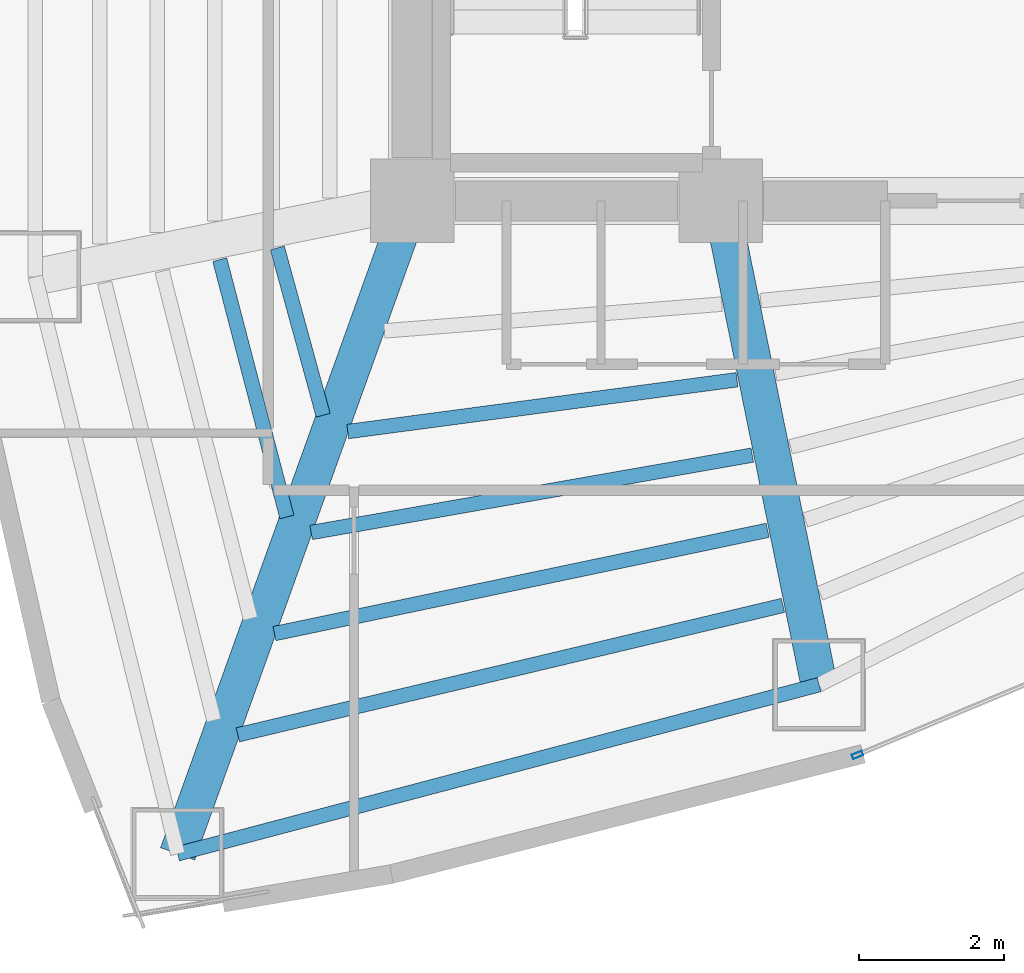
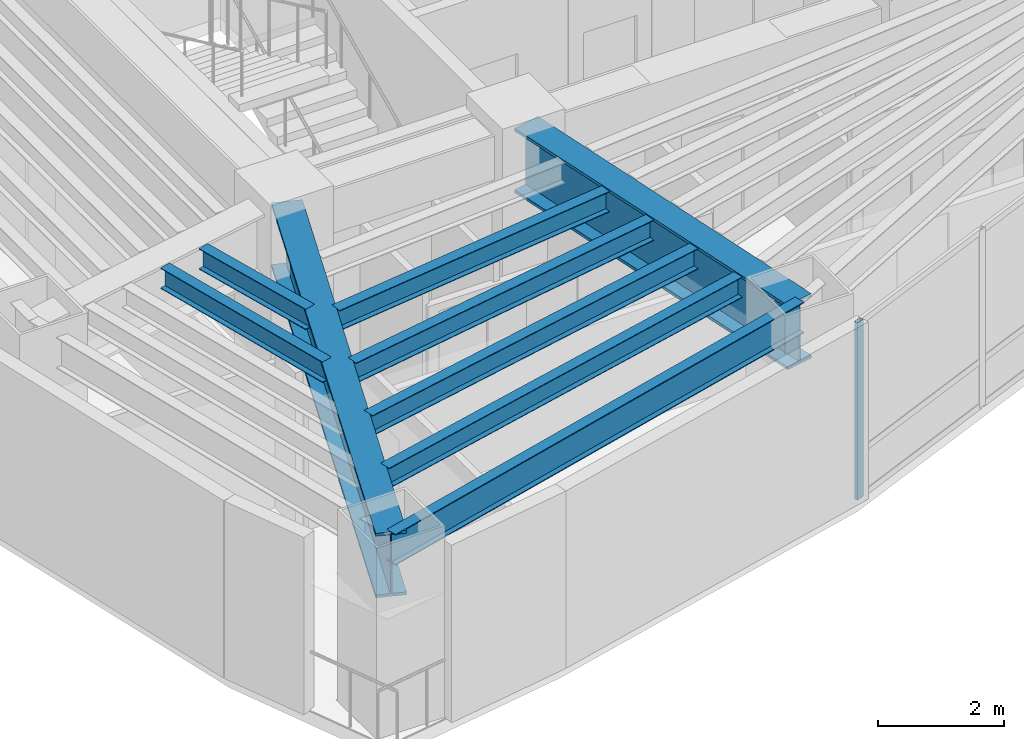
# One storey, part 3 of 17: 9 beams, 1 member, 1 element without a shape of its own.
"""IFC4 building model written with IfcOpenShell, lengths in metres."""

from ifc_helpers import new_model, si_unit, direction, frame, origin, origin_2d, place, context, subcontext, project, spatial, hollow_rectangle, i_section, extrude, material, layer, layer_set, material_profile, profile_set, type_object, element, aggregate, save


model = new_model("IFC4")

# Units and contexts
model_context = context("Model", 3, precision=1e-05, world=origin(), true_north=direction((0.0, 1.0)))
body_context = subcontext(model_context, "Body", "Model", "MODEL_VIEW")
ifc_project = project(units=[si_unit("LENGTHUNIT", "METRE"), si_unit("AREAUNIT", "SQUARE_METRE"), si_unit("VOLUMEUNIT", "CUBIC_METRE"), si_unit("PLANEANGLEUNIT", "RADIAN"), si_unit("MASSUNIT", "GRAM", prefix="KILO")], contexts=[model_context])

# Site, building, storey
site_placement = place(None, origin())
site = spatial("IfcSite", under=ifc_project, at=site_placement, CompositionType="ELEMENT")
building_placement = place(site_placement, origin())
building = spatial("IfcBuilding", under=site, at=building_placement, Name="Menara Vayukalpa", CompositionType="ELEMENT")
storey_placement = place(building_placement, frame((0.0, 0.0, 100.260009765625)))
storey = spatial("IfcBuildingStorey", under=building, at=storey_placement, Name="L24", CompositionType="ELEMENT", Elevation=100.260009765625)

# Beams
ifc_material_1 = material(Name="Steel S355", Category="steel")
ifc_material_profile_1 = material_profile(ifc_material_1, i_section(OverallWidth=0.199951171875, OverallDepth=0.39990234375, WebThickness=0.008056640625, FlangeThickness=0.012939453125, at=origin_2d()), Name="WF 400x200x8x13")
ifc_profile_set_1 = profile_set([ifc_material_profile_1], Name="Steel S355")
beam_type_1 = type_object("IfcBeamType", Name="BM-SJ2", PredefinedType="JOIST", material=ifc_profile_set_1)
beam_1_placement = place(storey_placement, frame((15.943603515625, 16.551513671875, 3.239990234375), z_axis=(0.263938385798, -0.964539542218, 0.0), x_axis=(0.964539542218, 0.263938385798, 0.0)))
element("IfcBeam", 1, at=beam_1_placement, inside=storey, type_object=beam_type_1, Name="L24 Secondary Floor Joist SJ06-2", PredefinedType="JOIST", context=body_context, shape_type="SweptSolid", body=[
    extrude(i_section(OverallWidth=0.199951171875, OverallDepth=0.39990234375, WebThickness=0.008056640625, FlangeThickness=0.012939453125, at=origin_2d()), origin(), (0.0, 0.0, 1.0), 2.39013671875),
])
beam_2_placement = place(storey_placement, frame((15.14892578125, 16.39111328125, 3.239990234375), z_axis=(0.252476133107, -0.967603122262, 0.0), x_axis=(0.967603122262, 0.252476133107, 0.0)))
element("IfcBeam", 2, at=beam_2_placement, inside=storey, type_object=beam_type_1, Name="L24 Secondary Floor Joist SJ06-3", PredefinedType="JOIST", context=body_context, shape_type="SweptSolid", body=[
    extrude(i_section(OverallWidth=0.199951171875, OverallDepth=0.39990234375, WebThickness=0.008056640625, FlangeThickness=0.012939453125, at=origin_2d()), origin(), (0.0, 0.0, 1.0), 3.664794921875),
])
beam_3_placement = place(storey_placement, frame((16.913330078125, 14.021240234375, 3.239990234375), z_axis=(0.991247591954, 0.132015951482, 0.0), x_axis=(-0.132015951482, 0.991247591954, 0.0)))
element("IfcBeam", 3, at=beam_3_placement, inside=storey, type_object=beam_type_1, Name="L24 Secondary Floor Joist SJ07-2", PredefinedType="JOIST", context=body_context, shape_type="SweptSolid", body=[
    extrude(i_section(OverallWidth=0.199951171875, OverallDepth=0.39990234375, WebThickness=0.008056640625, FlangeThickness=0.012939453125, at=origin_2d()), origin(), (0.0, 0.0, 1.0), 5.4111328125),
])
beam_4_placement = place(storey_placement, frame((16.408203125, 12.63037109375, 3.239990234375), z_axis=(0.984956670344, 0.17280149752, 0.0), x_axis=(-0.17280149752, 0.984956670344, 0.0)))
element("IfcBeam", 4, at=beam_4_placement, inside=storey, type_object=beam_type_1, Name="L24 Secondary Floor Joist SJ07-3", PredefinedType="JOIST", context=body_context, shape_type="SweptSolid", body=[
    extrude(i_section(OverallWidth=0.199951171875, OverallDepth=0.39990234375, WebThickness=0.008056640625, FlangeThickness=0.012939453125, at=origin_2d()), origin(), (0.0, 0.0, 1.0), 6.172607421875),
])
beam_5_placement = place(storey_placement, frame((15.903076171875, 11.237060546875, 3.239990234375), z_axis=(0.97875076474, 0.205053506483, 0.0), x_axis=(-0.205053506483, 0.97875076474, 0.0)))
element("IfcBeam", 5, at=beam_5_placement, inside=storey, type_object=beam_type_1, Name="L24 Secondary Floor Joist SJ07-4", PredefinedType="JOIST", context=body_context, shape_type="SweptSolid", body=[
    extrude(i_section(OverallWidth=0.199951171875, OverallDepth=0.39990234375, WebThickness=0.008056640625, FlangeThickness=0.012939453125, at=origin_2d()), origin(), (0.0, 0.0, 1.0), 6.943603515625),
])
beam_6_placement = place(storey_placement, frame((15.398193359375, 9.84228515625, 3.239990234375), z_axis=(0.972939394316, 0.231060457432, 0.0), x_axis=(-0.231060457432, 0.972939394316, 0.0)))
element("IfcBeam", 6, at=beam_6_placement, inside=storey, type_object=beam_type_1, Name="L24 Secondary Floor Joist SJ07-5", PredefinedType="JOIST", context=body_context, shape_type="SweptSolid", body=[
    extrude(i_section(OverallWidth=0.199951171875, OverallDepth=0.39990234375, WebThickness=0.008056640625, FlangeThickness=0.012939453125, at=origin_2d()), origin(), (0.0, 0.0, 1.0), 7.720703125),
])
ifc_material_2 = material(Name="Steel S355", Category="steel")
ifc_material_profile_2 = material_profile(ifc_material_2, i_section(OverallWidth=0.199951171875, OverallDepth=0.60009765625, WebThickness=0.010986328125, FlangeThickness=0.01708984375, at=origin_2d()), Name="WF 600x200x11x17")
ifc_profile_set_2 = profile_set([ifc_material_profile_2], Name="Steel S355")
beam_type_2 = type_object("IfcBeamType", Name="BM-SP1", PredefinedType="SPANDREL", material=ifc_profile_set_2)
beam_7_placement = place(storey_placement, frame((14.569091796875, 8.20263671875, 3.139892578125), z_axis=(0.966966857313, 0.254902131921, 0.0), x_axis=(-0.254902131921, 0.966966857313, 0.0)))
element("IfcBeam", 7, at=beam_7_placement, inside=storey, type_object=beam_type_2, Name="L24 Perimeter Spandrel Beam SP07", PredefinedType="SPANDREL", context=body_context, shape_type="SweptSolid", body=[
    extrude(i_section(OverallWidth=0.199951171875, OverallDepth=0.60009765625, WebThickness=0.010986328125, FlangeThickness=0.01708984375, at=origin_2d()), origin(), (0.0, 0.0, 1.0), 9.14111328125),
])
ifc_material_3 = material(Name="Steel S460", Category="steel")
ifc_material_profile_3 = material_profile(ifc_material_3, i_section(OverallWidth=0.5, OverallDepth=1.25, WebThickness=0.028076171875, FlangeThickness=0.054931640625, at=origin_2d()), Name="WG 1250x500x28x55")
ifc_profile_set_3 = profile_set([ifc_material_profile_3], Name="Steel S460")
beam_type_3 = type_object("IfcBeamType", Name="BM-TG2", PredefinedType="BEAM", material=ifc_profile_set_3)
beam_8_placement = place(storey_placement, frame((17.715576171875, 16.964599609375, 2.81494140625), z_axis=(-0.337975542909, -0.941154892882, 0.0), x_axis=(0.941154892882, -0.337975542909, 0.0)))
element("IfcBeam", 8, at=beam_8_placement, inside=storey, type_object=beam_type_3, Name="L24 Primary Radial Girder RG07", PredefinedType="BEAM", context=body_context, shape_type="SweptSolid", body=[
    extrude(i_section(OverallWidth=0.5, OverallDepth=1.25, WebThickness=0.028076171875, FlangeThickness=0.054931640625, at=origin_2d()), origin(), (0.0, 0.0, 1.0), 9.309814453125),
])
beam_9_placement = place(storey_placement, frame((22.099853515625, 16.955078125, 2.81494140625), z_axis=(0.199617728418, -0.9798738503, 0.0), x_axis=(0.9798738503, 0.199617728418, 0.0)))
element("IfcBeam", 9, at=beam_9_placement, inside=storey, type_object=beam_type_3, Name="L24 Primary Radial Girder RG08", PredefinedType="BEAM", context=body_context, shape_type="SweptSolid", body=[
    extrude(i_section(OverallWidth=0.5, OverallDepth=1.25, WebThickness=0.028076171875, FlangeThickness=0.054931640625, at=origin_2d()), origin(), (0.0, 0.0, 1.0), 6.55419921875),
])

# Curtain wall, member
ifc_material_4 = material(Name="Anodised Terracotta Aluminium Alloy 6063-T6", Category="masonry")
ifc_layer = layer(ifc_material_4, 0.14990234375)
ifc_layer_set = layer_set([ifc_layer], Name="Anodised Terracotta Aluminium Alloy 6063-T6")
curtain_wall_type = type_object("IfcCurtainWallType", Name="CW-CW3", PredefinedType="USERDEFINED", material=ifc_layer_set)
curtain_wall_placement = place(storey_placement, origin())
curtain_wall = element("IfcCurtainWall", 10, at=curtain_wall_placement, inside=storey, type_object=curtain_wall_type, Name="L24 Mid Rise Terracotta Ribbon Curtain Wall CW3 16", ObjectType="UNITISED", PredefinedType="USERDEFINED")
ifc_material_5 = material(Name="Anodised Terracotta Aluminium Alloy 6063-T6", Category="masonry")
ifc_material_profile_4 = material_profile(ifc_material_5, hollow_rectangle(XDim=0.06494140625, YDim=0.14990234375, WallThickness=0.00341796875, at=origin_2d()), Name="ALU 65x150x3.5")
ifc_profile_set_4 = profile_set([ifc_material_profile_4], Name="Anodised Terracotta Aluminium Alloy 6063-T6")
member_type = type_object("IfcMemberType", Name="CWM-CW3", PredefinedType="MULLION", material=ifc_profile_set_4)
member_placement = place(storey_placement, frame((23.9375, 9.56494140625, 0.0), z_axis=(0.0, 0.0, 1.0), x_axis=(-0.38589358437, 0.922543300632, 0.0)))
member = element("IfcMember", 11, at=member_placement, type_object=member_type, Name="CW3 mullion 1", PredefinedType="MULLION", context=body_context, shape_type="SweptSolid", body=[
    extrude(hollow_rectangle(XDim=0.06494140625, YDim=0.14990234375, WallThickness=0.00341796875, at=origin_2d()), origin(), (0.0, 0.0, 1.0), 3.43994140625),
])
aggregate(curtain_wall, [member])

save(model, "model.ifc")
